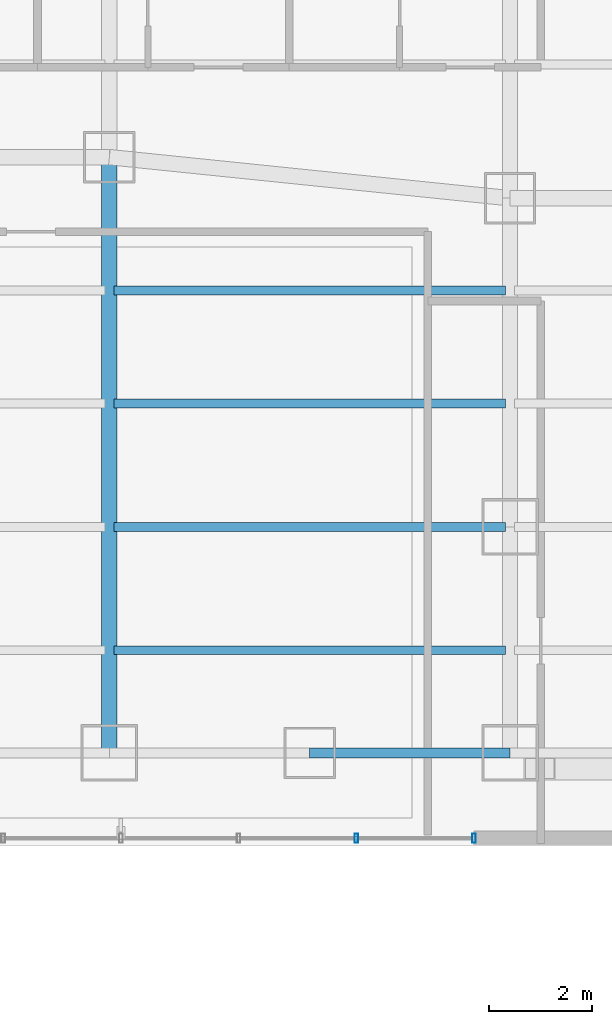
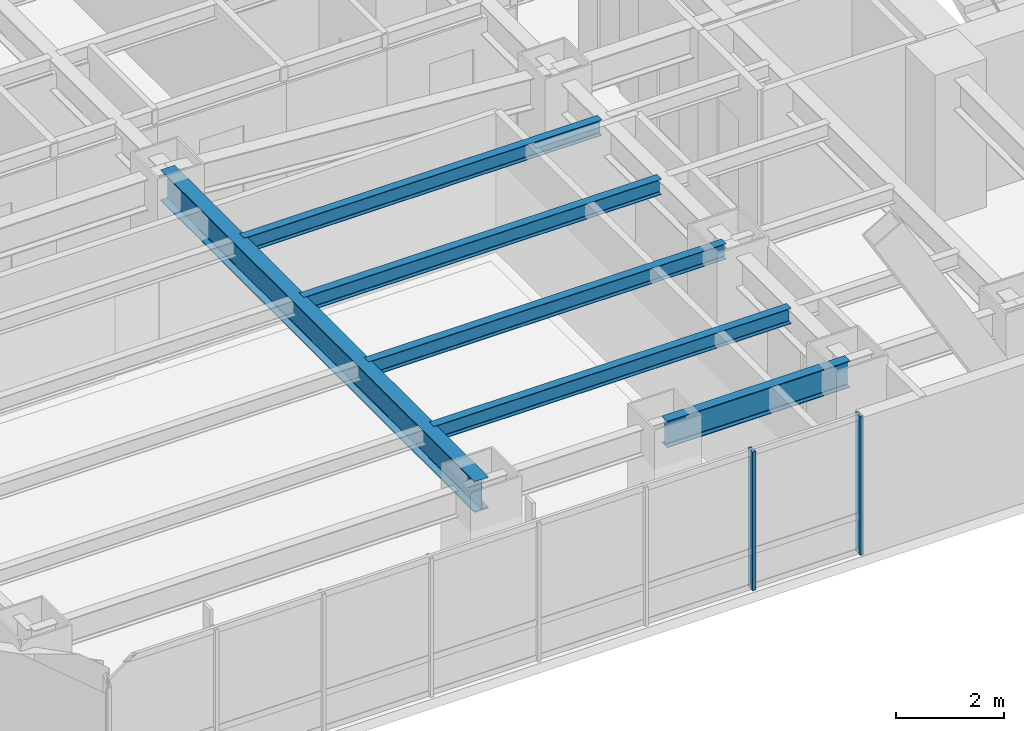
# One storey, part 6 of 33: 6 beams, 2 members, 1 element without a shape of its own.
"""IFC4 building model written with IfcOpenShell, lengths in metres."""

import ifcopenshell
import ifcopenshell.guid

model = None  # the IFC model being written
_history = None  # IfcOwnerHistory: only IFC2X3 demands one
_inside = {}  # id of a spatial element -> (the spatial element, [elements in it])
_under = {}  # id of a project, library or spatial element -> (it, [spatial elements below it])
_declared = {}  # id of a project -> (the project, [libraries it declares])
_typed = {}  # id of a type object -> (the type object, [elements of that type])
_made_of = {}  # id of a material, layer set ... -> (it, [elements and type objects made of it])


def new_model(schema):
    """Start an empty IFC model of exactly this schema.

    Asked for "IFC4X3", IfcOpenShell would pick the latest addendum, in which some entities
    have other attributes; the version numbers below select the first issue.
    IFC2X3 requires an IfcOwnerHistory on every rooted entity: one is made here for all.
    """
    global model, _history
    if schema == "IFC4X3":
        model = ifcopenshell.file(schema_version=(4, 3, 0, 0))
    else:
        model = ifcopenshell.file(schema=schema)
    _inside.clear()
    _under.clear()
    _declared.clear()
    _typed.clear()
    _made_of.clear()
    _history = None
    if model.schema == "IFC2X3":
        org = make("IfcOrganization", Name="unknown")
        user = make(
            "IfcPersonAndOrganization",
            ThePerson=make("IfcPerson", FamilyName="unknown"),
            TheOrganization=org,
        )
        app = make(
            "IfcApplication",
            ApplicationDeveloper=org,
            Version="unknown",
            ApplicationFullName="unknown",
            ApplicationIdentifier="unknown",
        )
        _history = make(
            "IfcOwnerHistory",
            OwningUser=user,
            OwningApplication=app,
            ChangeAction="ADDED",
            CreationDate=0,
        )
    return model


def make(cls, **values):
    """One entity of the class cls with the attributes given. An attribute that is None is left unset."""
    return model.create_entity(
        cls, **{name: value for name, value in values.items() if value is not None}
    )


def rooted(cls, **values):
    """An entity with a GlobalId (a new one), such as an element, a storey or a relation."""
    return make(cls, GlobalId=ifcopenshell.guid.new(), OwnerHistory=_history, **values)


def si_unit(unit_type, name, prefix=None):
    """IfcSIUnit, for example si_unit("LENGTHUNIT", "METRE", prefix="MILLI")."""
    return make("IfcSIUnit", UnitType=unit_type, Prefix=prefix, Name=name)


def assignment(units):
    """IfcUnitAssignment: the units of a project."""
    return None if units is None else make("IfcUnitAssignment", Units=units)


def point(xyz):
    """IfcCartesianPoint."""
    return None if xyz is None else make("IfcCartesianPoint", Coordinates=xyz)


def direction(xyz):
    """IfcDirection."""
    return None if xyz is None else make("IfcDirection", DirectionRatios=xyz)


def frame(location, z_axis=None, x_axis=None):
    """IfcAxis2Placement3D, a coordinate frame: its origin and axes. An axis left out is left unset."""
    return make(
        "IfcAxis2Placement3D",
        Location=point(location),
        Axis=direction(z_axis),
        RefDirection=direction(x_axis),
    )


def frame_2d(location, x_axis=None):
    """IfcAxis2Placement2D, a coordinate frame in the plane: its origin and x axis."""
    return make(
        "IfcAxis2Placement2D", Location=point(location), RefDirection=direction(x_axis)
    )


def origin():
    """The frame at (0, 0, 0) with its axes left unset."""
    return frame((0.0, 0.0, 0.0))


def origin_2d():
    """The frame at (0, 0) in the plane with its x axis left unset."""
    return frame_2d((0.0, 0.0))


def place(relative_to, where):
    """IfcLocalPlacement: puts the frame where relative to a parent placement (None: the world)."""
    return make(
        "IfcLocalPlacement", PlacementRelTo=relative_to, RelativePlacement=where
    )


def context(
    kind, dimensions, precision=None, world=None, true_north=None, identifier=None
):
    """IfcGeometricRepresentationContext, for example the 3D "Model" context."""
    return make(
        "IfcGeometricRepresentationContext",
        ContextIdentifier=identifier,
        ContextType=kind,
        CoordinateSpaceDimension=dimensions,
        Precision=precision,
        WorldCoordinateSystem=world,
        TrueNorth=true_north,
    )


def subcontext(parent, identifier, kind, view, scale=None):
    """IfcGeometricRepresentationSubContext, for example "Body" below "Model"."""
    return make(
        "IfcGeometricRepresentationSubContext",
        ContextIdentifier=identifier,
        ContextType=kind,
        ParentContext=parent,
        TargetScale=scale,
        TargetView=view,
    )


def project(units=None, contexts=None):
    """IfcProject with its units and contexts."""
    return rooted(
        "IfcProject",
        Name="project",
        RepresentationContexts=contexts,
        UnitsInContext=assignment(units),
    )


def spatial(cls, under=None, at=None, **own):
    """A site, building, storey or space (cls), placed at a placement, below another one or the project."""
    s = rooted(cls, ObjectPlacement=at, **own)
    if under is not None:
        _under.setdefault(under.id(), (under, []))[1].append(s)
    return s


def profile(cls, at=None, kind="AREA", **sizes):
    """A parametric profile (cls). Its sizes go by their IFC names, for example OverallWidth=200.0."""
    return make(cls, ProfileType=kind, Position=at, **sizes)


def hollow_rectangle(**sizes):
    """IfcRectangleHollowProfileDef."""
    return profile("IfcRectangleHollowProfileDef", **sizes)


def i_section(**sizes):
    """IfcIShapeProfileDef."""
    return profile("IfcIShapeProfileDef", **sizes)


def extrude(swept, where, along, depth):
    """IfcExtrudedAreaSolid: the profile swept, set in the frame where, extruded along a direction by depth."""
    return make(
        "IfcExtrudedAreaSolid",
        SweptArea=swept,
        Position=where,
        ExtrudedDirection=direction(along),
        Depth=depth,
    )


def shape(context_of_items, identifier, shape_type, items):
    """IfcShapeRepresentation: the items that make up one representation, for example the "Body"."""
    return make(
        "IfcShapeRepresentation",
        ContextOfItems=context_of_items,
        RepresentationIdentifier=identifier,
        RepresentationType=shape_type,
        Items=items,
    )


def material(Name=None, Category=None):
    """IfcMaterial."""
    return make("IfcMaterial", Name=Name, Category=Category)


def layer(
    of_material, thickness, ventilated=None, Name=None, Category=None, Priority=None
):
    """IfcMaterialLayer: one layer of a wall or slab, of a material (None: an air gap)."""
    return make(
        "IfcMaterialLayer",
        Material=of_material,
        LayerThickness=thickness,
        IsVentilated=ventilated,
        Name=Name,
        Category=Category,
        Priority=Priority,
    )


def layer_set(layers, Name=None):
    """IfcMaterialLayerSet."""
    return make("IfcMaterialLayerSet", MaterialLayers=layers, LayerSetName=Name)


def material_profile(
    of_material, cross_section, Name=None, Category=None, Priority=None
):
    """IfcMaterialProfile: a cross section and its material."""
    return make(
        "IfcMaterialProfile",
        Name=Name,
        Material=of_material,
        Profile=cross_section,
        Priority=Priority,
        Category=Category,
    )


def profile_set(profiles, Name=None, composite=None):
    """IfcMaterialProfileSet."""
    return make(
        "IfcMaterialProfileSet",
        Name=Name,
        MaterialProfiles=profiles,
        CompositeProfile=composite,
    )


def made_of(thing, what):
    """Note that an element or type object is made of a material, layer set ...; save() writes the relation."""
    if what is not None:
        _made_of.setdefault(what.id(), (what, []))[1].append(thing)
    return thing


def type_object(cls, material=None, **own):
    """A type object (cls), such as IfcWallType, which elements share."""
    return made_of(rooted(cls, **own), material)


def element(
    cls,
    number,
    at=None,
    inside=None,
    cuts=None,
    type_object=None,
    material=None,
    context=None,
    identifier="Body",
    shape_type=None,
    held_by="IfcProductDefinitionShape",
    body=None,
    shapes=None,
    **own,
):
    """One element of the class cls, such as IfcWall. Its Tag is "e" and its number.

    at: its placement. inside: the storey or other place that contains it. cuts: it is an
    opening in that element (IfcRelVoidsElement). A single representation is given by context,
    identifier, shape_type and body (its items); several are given by shapes. held_by: the class
    of the entity that holds the representations. save() writes the other relations.
    """
    e = rooted(cls, Tag="e%d" % number, ObjectPlacement=at, **own)
    if body is not None:
        shapes = [shape(context, identifier, shape_type, body)]
    if shapes is not None:
        e.Representation = make(held_by, Representations=shapes)
    if inside is not None:
        _inside.setdefault(inside.id(), (inside, []))[1].append(e)
    if cuts is not None:
        rooted(
            "IfcRelVoidsElement", RelatingBuildingElement=cuts, RelatedOpeningElement=e
        )
    if type_object is not None:
        _typed.setdefault(type_object.id(), (type_object, []))[1].append(e)
    return made_of(e, material)


def aggregate(whole, parts):
    """IfcRelAggregates: a whole, such as a stair, and the parts it consists of."""
    return rooted("IfcRelAggregates", RelatingObject=whole, RelatedObjects=parts)


def save(model, path):
    """Write the relations noted so far, then the file.

    IfcRelAggregates (storeys below a building ...), IfcRelContainedInSpatialStructure (elements
    in a storey), IfcRelDefinesByType, IfcRelAssociatesMaterial and IfcRelDeclares: one each for
    every whole, place, type object, material and project.
    """
    for whole, parts in _under.values():
        aggregate(whole, parts)
    for where, things in _inside.values():
        rooted(
            "IfcRelContainedInSpatialStructure",
            RelatedElements=things,
            RelatingStructure=where,
        )
    for kind, things in _typed.values():
        rooted("IfcRelDefinesByType", RelatedObjects=things, RelatingType=kind)
    for what, things in _made_of.values():
        rooted("IfcRelAssociatesMaterial", RelatedObjects=things, RelatingMaterial=what)
    for by, libraries in _declared.values():
        rooted("IfcRelDeclares", RelatingContext=by, RelatedDefinitions=libraries)
    model.write(path)


model = new_model("IFC4")

# Units and contexts
model_context = context("Model", 3, precision=1e-05, world=origin(), true_north=direction((0.0, 1.0)))
body_context = subcontext(model_context, "Body", "Model", "MODEL_VIEW")
ifc_project = project(units=[si_unit("LENGTHUNIT", "METRE"), si_unit("AREAUNIT", "SQUARE_METRE"), si_unit("VOLUMEUNIT", "CUBIC_METRE"), si_unit("PLANEANGLEUNIT", "RADIAN"), si_unit("MASSUNIT", "GRAM", prefix="KILO")], contexts=[model_context])

# Site, building, storey
site_placement = place(None, origin())
site = spatial("IfcSite", under=ifc_project, at=site_placement, CompositionType="ELEMENT")
building_placement = place(site_placement, origin())
building = spatial("IfcBuilding", under=site, at=building_placement, Name="Hatsunagi Terrace Concourse", CompositionType="ELEMENT")
storey_placement = place(building_placement, frame((0.0, 0.0, 56.699951171875)))
storey = spatial("IfcBuildingStorey", under=building, at=storey_placement, Name="L14", CompositionType="ELEMENT", Elevation=56.699951171875)

# Curtain wall, members
ifc_material_1 = material(Name="Anodised Aluminium Alloy 6063-T5", Category="aluminium")
ifc_layer = layer(ifc_material_1, 0.199951171875)
ifc_layer_set = layer_set([ifc_layer], Name="HotelFacade_CW02")
curtain_wall_type = type_object("IfcCurtainWallType", Name="HotelFacade_CW02", PredefinedType="NOTDEFINED", material=ifc_layer_set)
curtain_wall_placement = place(storey_placement, origin())
curtain_wall = element("IfcCurtainWall", 1, at=curtain_wall_placement, inside=storey, type_object=curtain_wall_type, Name="Unitised Curtain Wall CW-02 CW-L14-07", PredefinedType="NOTDEFINED")
ifc_material_2 = material(Name="Anodised Aluminium Alloy 6063-T5", Category="aluminium")
ifc_material_profile_1 = material_profile(ifc_material_2, hollow_rectangle(XDim=0.070068359375, YDim=0.179931640625, WallThickness=0.00390625, at=origin_2d()), Name="ALU-MUL-180x70x4")
ifc_profile_set_1 = profile_set([ifc_material_profile_1], Name="Anodised Aluminium Alloy 6063-T5")
member_type = type_object("IfcMemberType", Name="CurtainWallMullion_180x70", PredefinedType="MULLION", material=ifc_profile_set_1)
member_1_placement = place(storey_placement, frame((18.5, 23.5400390625, 0.0), z_axis=(0.0, 0.0, 1.0), x_axis=(-1.0, 0.0, 0.0)))
member_1 = element("IfcMember", 2, at=member_1_placement, type_object=member_type, Name="Curtain Wall Mullion MUL-02", PredefinedType="MULLION", context=body_context, shape_type="SweptSolid", body=[
    extrude(hollow_rectangle(XDim=0.070068359375, YDim=0.179931640625, WallThickness=0.00390625, at=origin_2d()), origin(), (0.0, 0.0, 1.0), 3.130126953125),
])
member_2_placement = place(storey_placement, frame((16.2080078125, 23.5400390625, 0.0), z_axis=(0.0, 0.0, 1.0), x_axis=(-1.0, 0.0, 0.0)))
member_2 = element("IfcMember", 3, at=member_2_placement, type_object=member_type, Name="Curtain Wall Mullion MUL-02", PredefinedType="MULLION", context=body_context, shape_type="SweptSolid", body=[
    extrude(hollow_rectangle(XDim=0.070068359375, YDim=0.179931640625, WallThickness=0.00390625, at=origin_2d()), origin(), (0.0, 0.0, 1.0), 3.130126953125),
])
aggregate(curtain_wall, [member_1, member_2])

# Beams
ifc_material_3 = material(Name="Steel SN490B", Category="steel")
ifc_material_profile_2 = material_profile(ifc_material_3, i_section(OverallWidth=0.300048828125, OverallDepth=0.699951171875, WebThickness=0.012939453125, FlangeThickness=0.02392578125, FilletRadius=0.02197265625, at=origin_2d()), Name="H-700x300x13x24")
ifc_profile_set_2 = profile_set([ifc_material_profile_2], Name="Steel SN490B")
beam_type_1 = type_object("IfcBeamType", Name="HotelFloorGirder_H_700x300", PredefinedType="BEAM", material=ifc_profile_set_2)
beam_1_placement = place(storey_placement, frame((11.39990234375, 25.199951171875, 2.780029296875), z_axis=(0.0, 1.0, 0.0), x_axis=(-1.0, 0.0, 0.0)))
element("IfcBeam", 4, at=beam_1_placement, inside=storey, type_object=beam_type_1, Name="Beam G-04 BM-L14-NS-11-25", PredefinedType="BEAM", context=body_context, shape_type="SweptSolid", body=[
    extrude(i_section(OverallWidth=0.300048828125, OverallDepth=0.699951171875, WebThickness=0.012939453125, FlangeThickness=0.02392578125, FilletRadius=0.02197265625, at=origin_2d()), origin(), (0.0, 0.0, 1.0), 11.60009765625),
])
ifc_material_4 = material(Name="Steel SN490B", Category="steel")
ifc_material_profile_3 = material_profile(ifc_material_4, i_section(OverallWidth=0.175048828125, OverallDepth=0.35009765625, WebThickness=0.007080078125, FlangeThickness=0.010986328125, FilletRadius=0.012939453125, at=origin_2d()), Name="H-350x175x7x11")
ifc_profile_set_3 = profile_set([ifc_material_profile_3], Name="Steel SN490B")
beam_type_2 = type_object("IfcBeamType", Name="HotelJoist_H_350x175", PredefinedType="JOIST", material=ifc_profile_set_3)
for number, where, z_axis, x_axis, name in (
    (5, (11.485107421875, 27.199951171875, 2.955078125), (1.0, 0.0, 0.0), (0.0, 1.0, 0.0), "Beam J-02 J-L14-W-11-272"),
    (6, (11.485107421875, 29.60009765625, 2.955078125), (1.0, 0.0, 0.0), (0.0, 1.0, 0.0), "Beam J-02 J-L14-W-11-296"),
    (7, (11.485107421875, 32.0, 2.955078125), (1.0, 0.0, 0.0), (0.0, 1.0, 0.0), "Beam J-02 J-L14-W-11-320"),
    (8, (11.485107421875, 34.199951171875, 2.955078125), (1.0, 0.0, 0.0), (0.0, 1.0, 0.0), "Beam J-02 J-L14-W-11-342"),
):
    element("IfcBeam", number, at=place(storey_placement, frame(where, z_axis=z_axis, x_axis=x_axis)), inside=storey, type_object=beam_type_2, Name=name, PredefinedType="JOIST", context=body_context, shape_type="SweptSolid", body=[
        extrude(i_section(OverallWidth=0.175048828125, OverallDepth=0.35009765625, WebThickness=0.007080078125, FlangeThickness=0.010986328125, FilletRadius=0.012939453125, at=origin_2d()), origin(), (0.0, 0.0, 1.0), 7.6298828125),
    ])
ifc_material_5 = material(Name="Steel SN490B", Category="steel")
ifc_material_profile_4 = material_profile(ifc_material_5, i_section(OverallWidth=0.199951171875, OverallDepth=0.60009765625, WebThickness=0.010986328125, FlangeThickness=0.01708984375, FilletRadius=0.01806640625, at=origin_2d()), Name="H-600x200x11x17")
ifc_profile_set_4 = profile_set([ifc_material_profile_4], Name="Steel SN490B")
beam_type_3 = type_object("IfcBeamType", Name="PerimeterSpandrel_H_600x200", PredefinedType="SPANDREL", material=ifc_profile_set_4)
beam_2_placement = place(storey_placement, frame((15.300048828125, 25.199951171875, 2.830078125), z_axis=(1.0, 0.0, 0.0), x_axis=(0.0, 1.0, 0.0)))
element("IfcBeam", 9, at=beam_2_placement, inside=storey, type_object=beam_type_3, Name="Beam SP-01 BM-L14-WS-15", PredefinedType="SPANDREL", context=body_context, shape_type="SweptSolid", body=[
    extrude(i_section(OverallWidth=0.199951171875, OverallDepth=0.60009765625, WebThickness=0.010986328125, FlangeThickness=0.01708984375, FilletRadius=0.01806640625, at=origin_2d()), origin(), (0.0, 0.0, 1.0), 3.89990234375),
])

save(model, "model.ifc")
